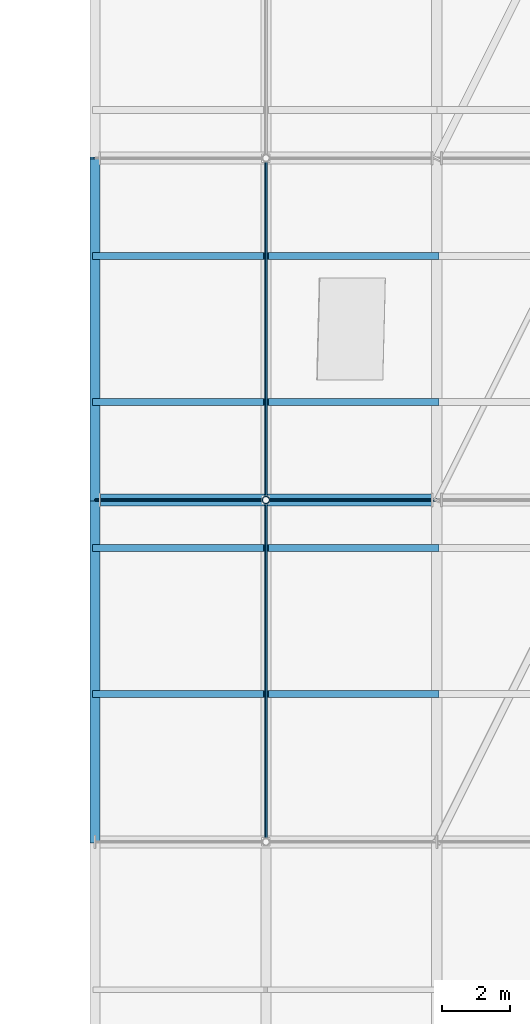
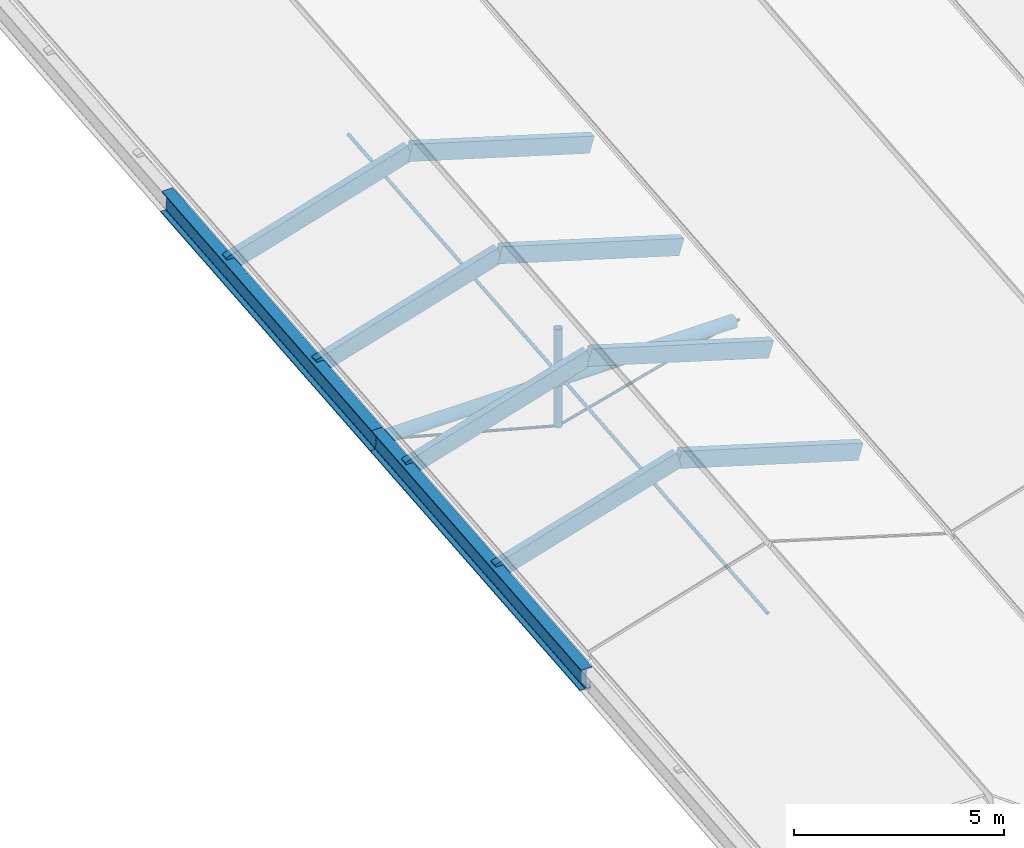
# One storey, part 9 of 90: 13 members, 3 beams.
"""IFC4 building model written with IfcOpenShell, lengths in metres."""

from ifc_helpers import new_model, si_unit, direction, frame, origin, origin_2d, place, context, subcontext, project, spatial, rectangle, circle, hollow_circle, i_section, extrude, material, material_profile, profile_set, type_object, element, save


model = new_model("IFC4")

# Units and contexts
model_context = context("Model", 3, precision=1e-05, world=origin(), true_north=direction((0.0, 1.0)))
body_context = subcontext(model_context, "Body", "Model", "MODEL_VIEW")
ifc_project = project(units=[si_unit("LENGTHUNIT", "METRE"), si_unit("AREAUNIT", "SQUARE_METRE"), si_unit("VOLUMEUNIT", "CUBIC_METRE"), si_unit("PLANEANGLEUNIT", "RADIAN"), si_unit("MASSUNIT", "GRAM", prefix="KILO"), si_unit("THERMODYNAMICTEMPERATUREUNIT", "KELVIN"), si_unit("POWERUNIT", "WATT")], contexts=[model_context])

# Site, building, storey
site_placement = place(None, origin())
site = spatial("IfcSite", under=ifc_project, at=site_placement, CompositionType="ELEMENT")
building_placement = place(site_placement, origin())
building = spatial("IfcBuilding", under=site, at=building_placement, Name="Korenveer Ferry Terminal", CompositionType="ELEMENT")
storey_placement = place(building_placement, frame((0.0, 0.0, 22.199951171875)))
storey = spatial("IfcBuildingStorey", under=building, at=storey_placement, Name="RF", CompositionType="ELEMENT", Elevation=22.199951171875)

# Beams
ifc_material_1 = material(Name="Steel S355", Category="steel")
ifc_material_profile_1 = material_profile(ifc_material_1, i_section(OverallWidth=0.300048828125, OverallDepth=0.64990234375, WebThickness=0.01611328125, FlangeThickness=0.031005859375, FilletRadius=0.027099609375, at=origin_2d()), Name="HEB 650")
ifc_profile_set_1 = profile_set([ifc_material_profile_1], Name="Steel S355")
beam_type_1 = type_object("IfcBeamType", Name="STR-BM-HEB650", PredefinedType="BEAM", material=ifc_profile_set_1)
beam_1_placement = place(storey_placement, frame((53.0, 50.0, -8.677734375), z_axis=(0.0, 0.995901174408, 0.090448055879), x_axis=(-1.0, 0.0, 0.0)))
element("IfcBeam", 1, at=beam_1_placement, inside=storey, type_object=beam_type_1, Name="Folded roof valley girder 18", PredefinedType="BEAM", context=body_context, shape_type="SweptSolid", body=[
    extrude(i_section(OverallWidth=0.300048828125, OverallDepth=0.64990234375, WebThickness=0.01611328125, FlangeThickness=0.031005859375, FilletRadius=0.027099609375, at=origin_2d()), origin(), (0.0, 0.0, 1.0), 10.041259765625),
])
beam_2_placement = place(storey_placement, frame((53.0, 60.0, -7.76953125), z_axis=(0.0, 0.995903364261, 0.090423940715), x_axis=(-1.0, 0.0, 0.0)))
element("IfcBeam", 2, at=beam_2_placement, inside=storey, type_object=beam_type_1, Name="Folded roof valley girder 19", PredefinedType="BEAM", context=body_context, shape_type="SweptSolid", body=[
    extrude(i_section(OverallWidth=0.300048828125, OverallDepth=0.64990234375, WebThickness=0.01611328125, FlangeThickness=0.031005859375, FilletRadius=0.027099609375, at=origin_2d()), origin(), (0.0, 0.0, 1.0), 10.041015625),
])

# Members
ifc_material_2 = material(Name="High-strength steel S460", Category="steel")
ifc_material_profile_2 = material_profile(ifc_material_2, circle(Radius=0.0380859375, at=origin_2d()), Name="ROD D76")
ifc_profile_set_2 = profile_set([ifc_material_profile_2], Name="High-strength steel S460")
member_type_1 = type_object("IfcMemberType", Name="STR-CBL-D76", PredefinedType="USERDEFINED", material=ifc_profile_set_2)
for number, where, z_axis, x_axis, name in (
    (3, (53.0, 60.0, -7.76953125), (0.965424337217, 0.0, -0.260683426993), (0.0, 1.0, 0.0), "Roof tension tie cable 29"),
    (4, (63.0, 60.0, -7.76953125), (-0.965424337217, 0.0, -0.260683426993), (0.0, -1.0, 0.0), "Roof tension tie cable 30"),
):
    element("IfcMember", number, at=place(storey_placement, frame(where, z_axis=z_axis, x_axis=x_axis)), inside=storey, type_object=member_type_1, Name=name, ObjectType="CABLE", PredefinedType="USERDEFINED", context=body_context, shape_type="SweptSolid", body=[
        extrude(circle(Radius=0.0380859375, at=origin_2d()), origin(), (0.0, 0.0, 1.0), 5.178955078125),
    ])
ifc_material_profile_3 = material_profile(ifc_material_2, circle(Radius=0.044921875, at=origin_2d()), Name="ROD D90")
ifc_profile_set_3 = profile_set([ifc_material_profile_3], Name="High-strength steel S460")
member_type_2 = type_object("IfcMemberType", Name="STR-CBL-D90", PredefinedType="USERDEFINED", material=ifc_profile_set_3)
for number, where, z_axis, x_axis, name in (
    (5, (58.0, 50.0, -8.517822265625), (0.0, 0.995903364261, 0.090423940715), (-1.0, 0.0, 0.0), "Longitudinal jaw-stay cable 99"),
    (6, (58.0, 60.0, -7.60986328125), (0.0, 0.995903364261, 0.090423940715), (-1.0, 0.0, 0.0), "Longitudinal jaw-stay cable 100"),
):
    element("IfcMember", number, at=place(storey_placement, frame(where, z_axis=z_axis, x_axis=x_axis)), inside=storey, type_object=member_type_2, Name=name, ObjectType="CABLE", PredefinedType="USERDEFINED", context=body_context, shape_type="SweptSolid", body=[
        extrude(circle(Radius=0.044921875, at=origin_2d()), origin(), (0.0, 0.0, 1.0), 10.041015625),
    ])
ifc_material_3 = material(Name="Glulam GL28h", Category="wood")
ifc_material_profile_4 = material_profile(ifc_material_3, rectangle(XDim=0.199951171875, YDim=0.47998046875, at=origin_2d()), Name="GL 200x480")
ifc_profile_set_4 = profile_set([ifc_material_profile_4], Name="Glulam GL28h")
member_type_3 = type_object("IfcMemberType", Name="STR-PUR-GL200", PredefinedType="PURLIN", material=ifc_profile_set_4)
for number, where, z_axis, x_axis, name in (
    (7, (53.0, 54.321533203125, -8.126953125), (0.957310140112, 0.0, 0.289062788401), (0.0, 1.0, 0.0), "Folded roof glulam purlin 13"),
    (8, (53.0, 58.5927734375, -7.739013671875), (0.957310140112, 0.0, 0.289062788401), (0.0, 1.0, 0.0), "Folded roof glulam purlin 14"),
    (9, (53.0, 62.8642578125, -7.351318359375), (0.957310140112, 0.0, 0.289062788401), (0.0, 1.0, 0.0), "Folded roof glulam purlin 15"),
    (10, (53.0, 67.1357421875, -6.96337890625), (0.957310140112, 0.0, 0.289062788401), (0.0, 1.0, 0.0), "Folded roof glulam purlin 16"),
    (11, (58.0, 54.321533203125, -6.6171875), (0.957310140112, 0.0, -0.289062788401), (0.0, 1.0, 0.0), "Folded roof glulam purlin 19"),
    (12, (58.0, 58.5927734375, -6.229248046875), (0.957310140112, 0.0, -0.289062788401), (0.0, 1.0, 0.0), "Folded roof glulam purlin 20"),
    (13, (58.0, 62.8642578125, -5.841552734375), (0.957310140112, 0.0, -0.289062788401), (0.0, 1.0, 0.0), "Folded roof glulam purlin 21"),
    (14, (58.0, 67.1357421875, -5.45361328125), (0.957310140112, 0.0, -0.289062788401), (0.0, 1.0, 0.0), "Folded roof glulam purlin 22"),
):
    element("IfcMember", number, at=place(storey_placement, frame(where, z_axis=z_axis, x_axis=x_axis)), inside=storey, type_object=member_type_3, Name=name, PredefinedType="PURLIN", context=body_context, shape_type="SweptSolid", body=[
        extrude(rectangle(XDim=0.199951171875, YDim=0.47998046875, at=origin_2d()), origin(), (0.0, 0.0, 1.0), 5.222900390625),
    ])

# Beam
ifc_material_profile_5 = material_profile(ifc_material_1, hollow_circle(Radius=0.177734375, WallThickness=0.01611328125, at=origin_2d()), Name="CHS 355.6x16")
ifc_profile_set_5 = profile_set([ifc_material_profile_5], Name="Steel S355")
beam_type_2 = type_object("IfcBeamType", Name="STR-RFG-CHS355", PredefinedType="USERDEFINED", material=ifc_profile_set_5)
beam_3_placement = place(storey_placement, frame((53.159912109375, 60.0, -7.76953125), z_axis=(1.0, 0.0, 0.0), x_axis=(0.0, 1.0, 0.0)))
element("IfcBeam", 15, at=beam_3_placement, inside=storey, type_object=beam_type_2, Name="Roof transverse tie girder 103", ObjectType="ROOF GIRDER", PredefinedType="USERDEFINED", context=body_context, shape_type="SweptSolid", body=[
    extrude(hollow_circle(Radius=0.177734375, WallThickness=0.01611328125, at=origin_2d()), origin(), (0.0, 0.0, 1.0), 9.68017578125),
])

# Member
ifc_material_profile_6 = material_profile(ifc_material_1, hollow_circle(Radius=0.109619140625, WallThickness=0.012451171875, at=origin_2d()), Name="CHS 219.1x12.5")
ifc_profile_set_6 = profile_set([ifc_material_profile_6], Name="Steel S355")
member_type_4 = type_object("IfcMemberType", Name="STR-STT-CHS219", PredefinedType="STRUT", material=ifc_profile_set_6)
member_placement = place(storey_placement, frame((58.0, 60.0, -9.11962890625), z_axis=(0.0, 0.0, 1.0), x_axis=(1.0, 0.0, 0.0)))
element("IfcMember", 16, at=member_placement, inside=storey, type_object=member_type_4, Name="Roof king-post strut STTKP-Y60-B0", PredefinedType="STRUT", context=body_context, shape_type="SweptSolid", body=[
    extrude(hollow_circle(Radius=0.109619140625, WallThickness=0.012451171875, at=origin_2d()), origin(), (0.0, 0.0, 1.0), 2.859619140625),
])

save(model, "model.ifc")
